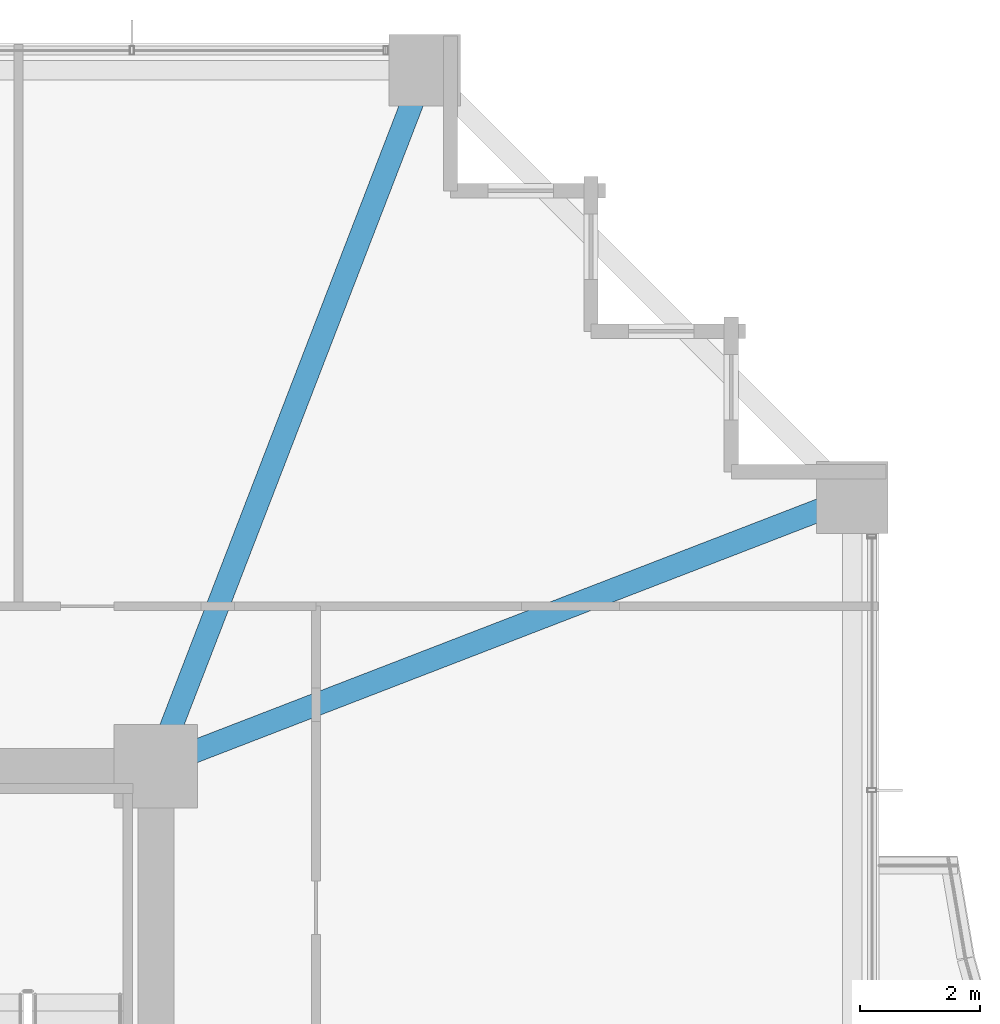
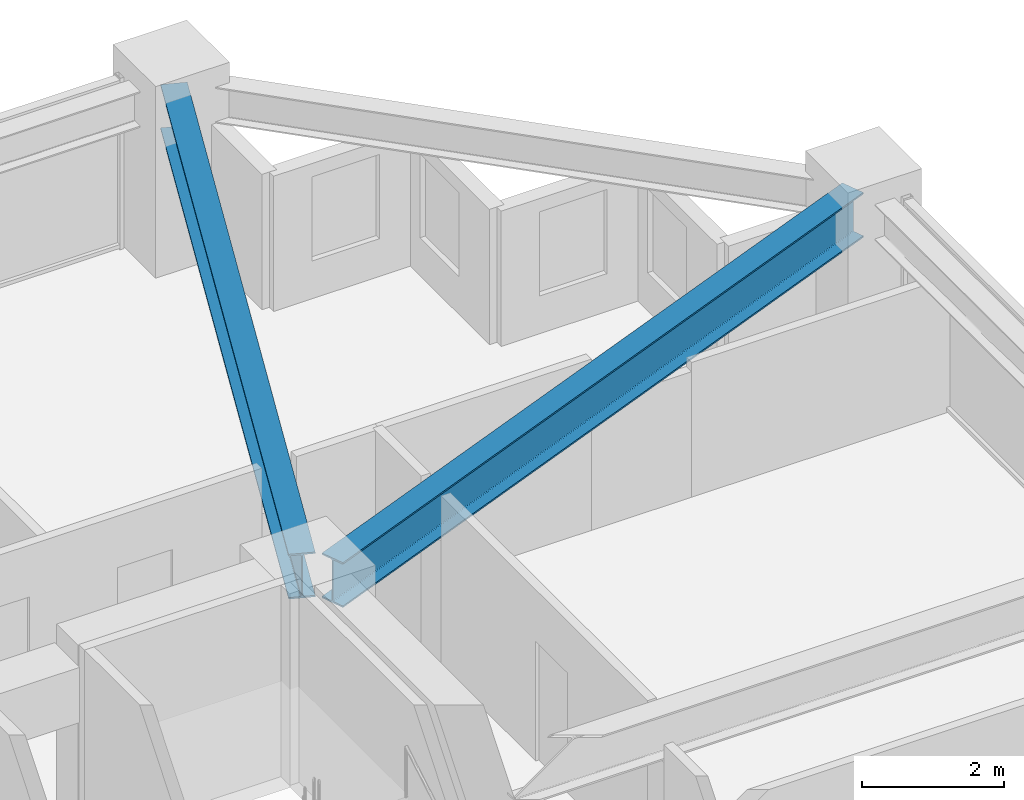
# One storey, part 24 of 38: 2 beams.
"""IFC4 building model written with IfcOpenShell, lengths in metres."""

from ifc_helpers import new_model, si_unit, direction, frame, origin, origin_2d, place, context, subcontext, project, spatial, i_section, extrude, material, material_profile, profile_set, type_object, element, save


model = new_model("IFC4")

# Units and contexts
model_context = context("Model", 3, precision=1e-05, world=origin(), true_north=direction((0.0, 1.0)))
body_context = subcontext(model_context, "Body", "Model", "MODEL_VIEW")
ifc_project = project(units=[si_unit("LENGTHUNIT", "METRE"), si_unit("AREAUNIT", "SQUARE_METRE"), si_unit("VOLUMEUNIT", "CUBIC_METRE"), si_unit("PLANEANGLEUNIT", "RADIAN"), si_unit("MASSUNIT", "GRAM", prefix="KILO")], contexts=[model_context])

# Site, building, storey
site_placement = place(None, origin())
site = spatial("IfcSite", under=ifc_project, at=site_placement, CompositionType="ELEMENT")
building_placement = place(site_placement, origin())
building = spatial("IfcBuilding", under=site, at=building_placement, Name="Kolvaren Belvedere", CompositionType="ELEMENT")
storey_placement = place(building_placement, frame((0.0, 0.0, 60.10009765625)))
storey = spatial("IfcBuildingStorey", under=building, at=storey_placement, Name="L17", CompositionType="ELEMENT", Elevation=60.10009765625)

# Beams
ifc_material = material(Name="Structural steel ASTM A992 Grade 50", Category="steel")
ifc_material_profile = material_profile(ifc_material, i_section(OverallWidth=0.381103515625, OverallDepth=0.77294921875, WebThickness=0.0166015625, FlangeThickness=0.027099609375, FilletRadius=0.02392578125, at=origin_2d()), Name="W30X173")
ifc_profile_set = profile_set([ifc_material_profile], Name="Structural steel ASTM A992 Grade 50")
beam_type = type_object("IfcBeamType", Name="BM-GIRD-W30X173", PredefinedType="BEAM", material=ifc_profile_set)
for number, where, z_axis, x_axis, name in (
    (1, (10.09814453125, 10.4130859375, 2.5634765625), (0.360318391835, 0.932829382313, 0.0), (-0.932829382313, 0.360318391835, 0.0), "L17 Corner Core-to-Perimeter Girder CC3-N4"),
    (2, (10.4130859375, 10.09814453125, 2.5634765625), (0.932829382313, 0.360318391835, 0.0), (-0.360318391835, 0.932829382313, 0.0), "L17 Corner Core-to-Perimeter Girder CC3-E4"),
):
    element("IfcBeam", number, at=place(storey_placement, frame(where, z_axis=z_axis, x_axis=x_axis)), inside=storey, type_object=beam_type, Name=name, PredefinedType="BEAM", context=body_context, shape_type="SweptSolid", body=[
        extrude(i_section(OverallWidth=0.381103515625, OverallDepth=0.77294921875, WebThickness=0.0166015625, FlangeThickness=0.027099609375, FilletRadius=0.02392578125, at=origin_2d()), origin(), (0.0, 0.0, 1.0), 11.698974609375),
    ])

save(model, "model.ifc")
